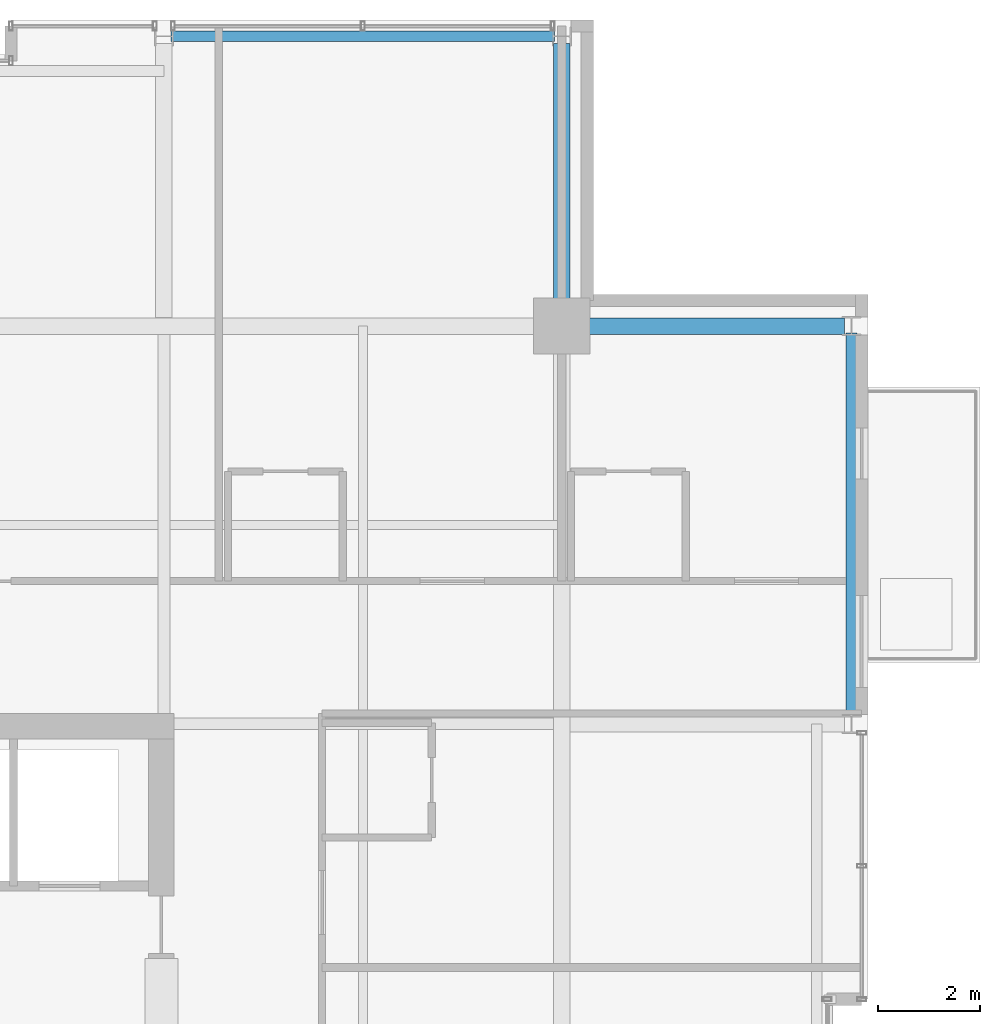
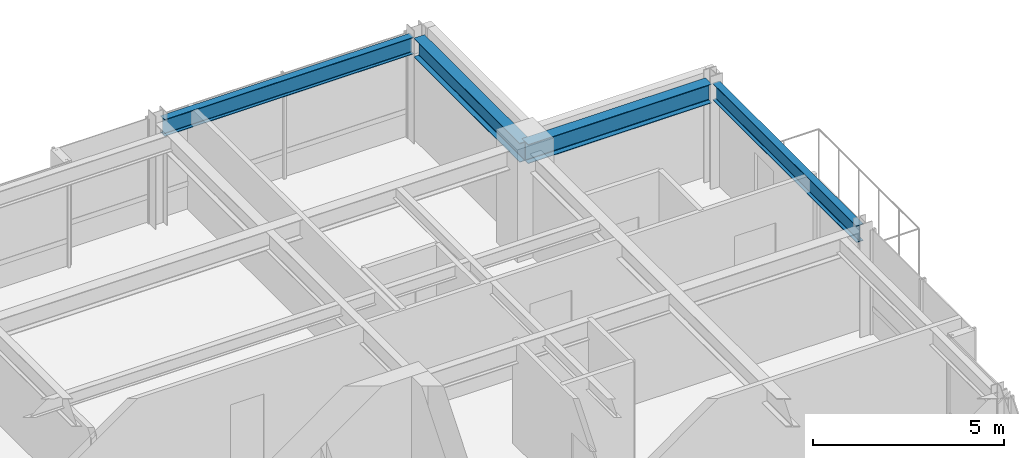
# One storey, part 24 of 33: 4 beams.
"""IFC4 building model written with IfcOpenShell, lengths in metres."""

import ifcopenshell
import ifcopenshell.guid

model = None  # the IFC model being written
_history = None  # IfcOwnerHistory: only IFC2X3 demands one
_inside = {}  # id of a spatial element -> (the spatial element, [elements in it])
_under = {}  # id of a project, library or spatial element -> (it, [spatial elements below it])
_declared = {}  # id of a project -> (the project, [libraries it declares])
_typed = {}  # id of a type object -> (the type object, [elements of that type])
_made_of = {}  # id of a material, layer set ... -> (it, [elements and type objects made of it])


def new_model(schema):
    """Start an empty IFC model of exactly this schema.

    Asked for "IFC4X3", IfcOpenShell would pick the latest addendum, in which some entities
    have other attributes; the version numbers below select the first issue.
    IFC2X3 requires an IfcOwnerHistory on every rooted entity: one is made here for all.
    """
    global model, _history
    if schema == "IFC4X3":
        model = ifcopenshell.file(schema_version=(4, 3, 0, 0))
    else:
        model = ifcopenshell.file(schema=schema)
    _inside.clear()
    _under.clear()
    _declared.clear()
    _typed.clear()
    _made_of.clear()
    _history = None
    if model.schema == "IFC2X3":
        org = make("IfcOrganization", Name="unknown")
        user = make(
            "IfcPersonAndOrganization",
            ThePerson=make("IfcPerson", FamilyName="unknown"),
            TheOrganization=org,
        )
        app = make(
            "IfcApplication",
            ApplicationDeveloper=org,
            Version="unknown",
            ApplicationFullName="unknown",
            ApplicationIdentifier="unknown",
        )
        _history = make(
            "IfcOwnerHistory",
            OwningUser=user,
            OwningApplication=app,
            ChangeAction="ADDED",
            CreationDate=0,
        )
    return model


def make(cls, **values):
    """One entity of the class cls with the attributes given. An attribute that is None is left unset."""
    return model.create_entity(
        cls, **{name: value for name, value in values.items() if value is not None}
    )


def rooted(cls, **values):
    """An entity with a GlobalId (a new one), such as an element, a storey or a relation."""
    return make(cls, GlobalId=ifcopenshell.guid.new(), OwnerHistory=_history, **values)


def si_unit(unit_type, name, prefix=None):
    """IfcSIUnit, for example si_unit("LENGTHUNIT", "METRE", prefix="MILLI")."""
    return make("IfcSIUnit", UnitType=unit_type, Prefix=prefix, Name=name)


def assignment(units):
    """IfcUnitAssignment: the units of a project."""
    return None if units is None else make("IfcUnitAssignment", Units=units)


def point(xyz):
    """IfcCartesianPoint."""
    return None if xyz is None else make("IfcCartesianPoint", Coordinates=xyz)


def direction(xyz):
    """IfcDirection."""
    return None if xyz is None else make("IfcDirection", DirectionRatios=xyz)


def frame(location, z_axis=None, x_axis=None):
    """IfcAxis2Placement3D, a coordinate frame: its origin and axes. An axis left out is left unset."""
    return make(
        "IfcAxis2Placement3D",
        Location=point(location),
        Axis=direction(z_axis),
        RefDirection=direction(x_axis),
    )


def frame_2d(location, x_axis=None):
    """IfcAxis2Placement2D, a coordinate frame in the plane: its origin and x axis."""
    return make(
        "IfcAxis2Placement2D", Location=point(location), RefDirection=direction(x_axis)
    )


def origin():
    """The frame at (0, 0, 0) with its axes left unset."""
    return frame((0.0, 0.0, 0.0))


def origin_2d():
    """The frame at (0, 0) in the plane with its x axis left unset."""
    return frame_2d((0.0, 0.0))


def place(relative_to, where):
    """IfcLocalPlacement: puts the frame where relative to a parent placement (None: the world)."""
    return make(
        "IfcLocalPlacement", PlacementRelTo=relative_to, RelativePlacement=where
    )


def context(
    kind, dimensions, precision=None, world=None, true_north=None, identifier=None
):
    """IfcGeometricRepresentationContext, for example the 3D "Model" context."""
    return make(
        "IfcGeometricRepresentationContext",
        ContextIdentifier=identifier,
        ContextType=kind,
        CoordinateSpaceDimension=dimensions,
        Precision=precision,
        WorldCoordinateSystem=world,
        TrueNorth=true_north,
    )


def subcontext(parent, identifier, kind, view, scale=None):
    """IfcGeometricRepresentationSubContext, for example "Body" below "Model"."""
    return make(
        "IfcGeometricRepresentationSubContext",
        ContextIdentifier=identifier,
        ContextType=kind,
        ParentContext=parent,
        TargetScale=scale,
        TargetView=view,
    )


def project(units=None, contexts=None):
    """IfcProject with its units and contexts."""
    return rooted(
        "IfcProject",
        Name="project",
        RepresentationContexts=contexts,
        UnitsInContext=assignment(units),
    )


def spatial(cls, under=None, at=None, **own):
    """A site, building, storey or space (cls), placed at a placement, below another one or the project."""
    s = rooted(cls, ObjectPlacement=at, **own)
    if under is not None:
        _under.setdefault(under.id(), (under, []))[1].append(s)
    return s


def profile(cls, at=None, kind="AREA", **sizes):
    """A parametric profile (cls). Its sizes go by their IFC names, for example OverallWidth=200.0."""
    return make(cls, ProfileType=kind, Position=at, **sizes)


def i_section(**sizes):
    """IfcIShapeProfileDef."""
    return profile("IfcIShapeProfileDef", **sizes)


def extrude(swept, where, along, depth):
    """IfcExtrudedAreaSolid: the profile swept, set in the frame where, extruded along a direction by depth."""
    return make(
        "IfcExtrudedAreaSolid",
        SweptArea=swept,
        Position=where,
        ExtrudedDirection=direction(along),
        Depth=depth,
    )


def shape(context_of_items, identifier, shape_type, items):
    """IfcShapeRepresentation: the items that make up one representation, for example the "Body"."""
    return make(
        "IfcShapeRepresentation",
        ContextOfItems=context_of_items,
        RepresentationIdentifier=identifier,
        RepresentationType=shape_type,
        Items=items,
    )


def material(Name=None, Category=None):
    """IfcMaterial."""
    return make("IfcMaterial", Name=Name, Category=Category)


def material_profile(
    of_material, cross_section, Name=None, Category=None, Priority=None
):
    """IfcMaterialProfile: a cross section and its material."""
    return make(
        "IfcMaterialProfile",
        Name=Name,
        Material=of_material,
        Profile=cross_section,
        Priority=Priority,
        Category=Category,
    )


def profile_set(profiles, Name=None, composite=None):
    """IfcMaterialProfileSet."""
    return make(
        "IfcMaterialProfileSet",
        Name=Name,
        MaterialProfiles=profiles,
        CompositeProfile=composite,
    )


def made_of(thing, what):
    """Note that an element or type object is made of a material, layer set ...; save() writes the relation."""
    if what is not None:
        _made_of.setdefault(what.id(), (what, []))[1].append(thing)
    return thing


def type_object(cls, material=None, **own):
    """A type object (cls), such as IfcWallType, which elements share."""
    return made_of(rooted(cls, **own), material)


def element(
    cls,
    number,
    at=None,
    inside=None,
    cuts=None,
    type_object=None,
    material=None,
    context=None,
    identifier="Body",
    shape_type=None,
    held_by="IfcProductDefinitionShape",
    body=None,
    shapes=None,
    **own,
):
    """One element of the class cls, such as IfcWall. Its Tag is "e" and its number.

    at: its placement. inside: the storey or other place that contains it. cuts: it is an
    opening in that element (IfcRelVoidsElement). A single representation is given by context,
    identifier, shape_type and body (its items); several are given by shapes. held_by: the class
    of the entity that holds the representations. save() writes the other relations.
    """
    e = rooted(cls, Tag="e%d" % number, ObjectPlacement=at, **own)
    if body is not None:
        shapes = [shape(context, identifier, shape_type, body)]
    if shapes is not None:
        e.Representation = make(held_by, Representations=shapes)
    if inside is not None:
        _inside.setdefault(inside.id(), (inside, []))[1].append(e)
    if cuts is not None:
        rooted(
            "IfcRelVoidsElement", RelatingBuildingElement=cuts, RelatedOpeningElement=e
        )
    if type_object is not None:
        _typed.setdefault(type_object.id(), (type_object, []))[1].append(e)
    return made_of(e, material)


def aggregate(whole, parts):
    """IfcRelAggregates: a whole, such as a stair, and the parts it consists of."""
    return rooted("IfcRelAggregates", RelatingObject=whole, RelatedObjects=parts)


def save(model, path):
    """Write the relations noted so far, then the file.

    IfcRelAggregates (storeys below a building ...), IfcRelContainedInSpatialStructure (elements
    in a storey), IfcRelDefinesByType, IfcRelAssociatesMaterial and IfcRelDeclares: one each for
    every whole, place, type object, material and project.
    """
    for whole, parts in _under.values():
        aggregate(whole, parts)
    for where, things in _inside.values():
        rooted(
            "IfcRelContainedInSpatialStructure",
            RelatedElements=things,
            RelatingStructure=where,
        )
    for kind, things in _typed.values():
        rooted("IfcRelDefinesByType", RelatedObjects=things, RelatingType=kind)
    for what, things in _made_of.values():
        rooted("IfcRelAssociatesMaterial", RelatedObjects=things, RelatingMaterial=what)
    for by, libraries in _declared.values():
        rooted("IfcRelDeclares", RelatingContext=by, RelatedDefinitions=libraries)
    model.write(path)


model = new_model("IFC4")

# Units and contexts
model_context = context("Model", 3, precision=1e-05, world=origin(), true_north=direction((0.0, 1.0)))
body_context = subcontext(model_context, "Body", "Model", "MODEL_VIEW")
ifc_project = project(units=[si_unit("LENGTHUNIT", "METRE"), si_unit("AREAUNIT", "SQUARE_METRE"), si_unit("VOLUMEUNIT", "CUBIC_METRE"), si_unit("PLANEANGLEUNIT", "RADIAN"), si_unit("MASSUNIT", "GRAM", prefix="KILO")], contexts=[model_context])

# Site, building, storey
site_placement = place(None, origin())
site = spatial("IfcSite", under=ifc_project, at=site_placement, CompositionType="ELEMENT")
building_placement = place(site_placement, origin())
building = spatial("IfcBuilding", under=site, at=building_placement, Name="Drelvath Grand Hotel", CompositionType="ELEMENT")
storey_placement = place(building_placement, frame((0.0, 0.0, 248.300048828125)))
storey = spatial("IfcBuildingStorey", under=building, at=storey_placement, Name="L65", CompositionType="ELEMENT", Elevation=248.300048828125)

# Beams
ifc_material = material(Name="Steel ASTM A992 Gr 50", Category="steel")
ifc_material_profile_1 = material_profile(ifc_material, i_section(OverallWidth=0.210205078125, OverallDepth=0.53662109375, WebThickness=0.010986328125, FlangeThickness=0.017333984375, FilletRadius=0.01806640625, at=origin_2d()), Name="W21X68")
ifc_profile_set_1 = profile_set([ifc_material_profile_1], Name="Steel ASTM A992 Gr 50")
beam_type_1 = type_object("IfcBeamType", Name="Perimeter Spandrel Beam W21X68", PredefinedType="SPANDREL", material=ifc_profile_set_1)
for number, where, z_axis, x_axis, name in (
    (1, (21.8798828125, 35.5400390625, 3.071533203125), (0.0, 1.0, 0.0), (-1.0, 0.0, 0.0), "L65 Spandrel East N"),
    (2, (8.5400390625, 48.8798828125, 3.071533203125), (1.0, 0.0, 0.0), (0.0, 1.0, 0.0), "L65 Spandrel North E"),
):
    element("IfcBeam", number, at=place(storey_placement, frame(where, z_axis=z_axis, x_axis=x_axis)), inside=storey, type_object=beam_type_1, Name=name, PredefinedType="SPANDREL", context=body_context, shape_type="SweptSolid", body=[
        extrude(i_section(OverallWidth=0.210205078125, OverallDepth=0.53662109375, WebThickness=0.010986328125, FlangeThickness=0.017333984375, FilletRadius=0.01806640625, at=origin_2d()), origin(), (0.0, 0.0, 1.0), 7.52001953125),
    ])
ifc_material_profile_2 = material_profile(ifc_material, i_section(OverallWidth=0.323974609375, OverallDepth=0.611083984375, WebThickness=0.0126953125, FlangeThickness=0.01904296875, FilletRadius=0.02197265625, at=origin_2d()), Name="W24X104")
ifc_profile_set_2 = profile_set([ifc_material_profile_2], Name="Steel ASTM A992 Gr 50")
beam_type_2 = type_object("IfcBeamType", Name="Primary Floor Girder W24X104", PredefinedType="BEAM", material=ifc_profile_set_2)
for number, where, z_axis, x_axis, name in (
    (3, (16.199951171875, 43.199951171875, 3.034423828125), (1.0, 0.0, 0.0), (0.0, 1.0, 0.0), "L65 East Grid Girder G"),
    (4, (16.199951171875, 43.199951171875, 3.034423828125), (0.0, 1.0, 0.0), (-1.0, 0.0, 0.0), "L65 North Grid Girder 7"),
):
    element("IfcBeam", number, at=place(storey_placement, frame(where, z_axis=z_axis, x_axis=x_axis)), inside=storey, type_object=beam_type_2, Name=name, PredefinedType="BEAM", context=body_context, shape_type="SweptSolid", body=[
        extrude(i_section(OverallWidth=0.323974609375, OverallDepth=0.611083984375, WebThickness=0.0126953125, FlangeThickness=0.01904296875, FilletRadius=0.02197265625, at=origin_2d()), origin(), (0.0, 0.0, 1.0), 5.5400390625),
    ])

save(model, "model.ifc")
